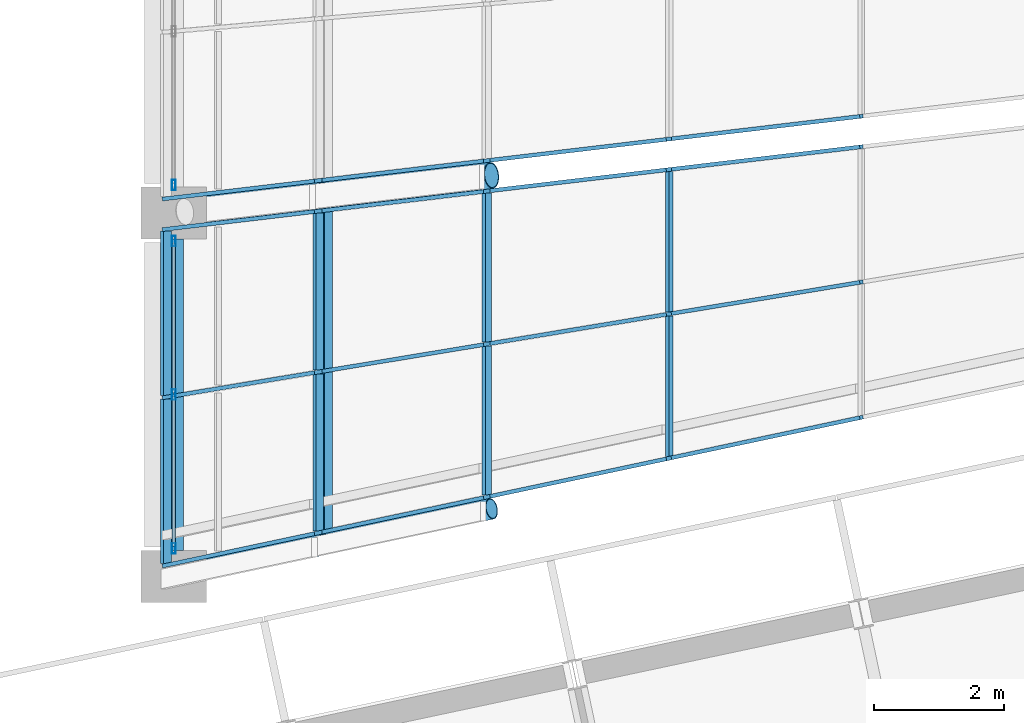
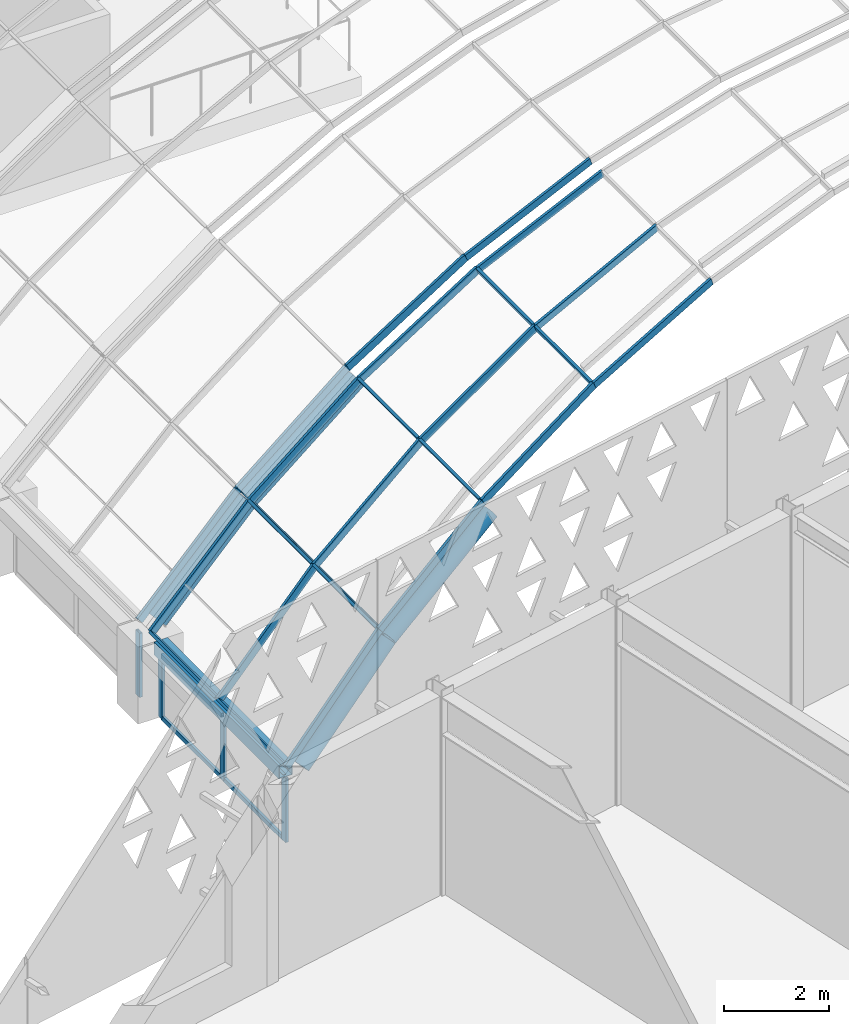
# One storey, part 30 of 182: 37 members, 1 beam, 4 elements without a shape of their own.
"""IFC4 building model written with IfcOpenShell, lengths in metres."""

import ifcopenshell
import ifcopenshell.guid

model = None  # the IFC model being written
_history = None  # IfcOwnerHistory: only IFC2X3 demands one
_inside = {}  # id of a spatial element -> (the spatial element, [elements in it])
_under = {}  # id of a project, library or spatial element -> (it, [spatial elements below it])
_declared = {}  # id of a project -> (the project, [libraries it declares])
_typed = {}  # id of a type object -> (the type object, [elements of that type])
_made_of = {}  # id of a material, layer set ... -> (it, [elements and type objects made of it])


def new_model(schema):
    """Start an empty IFC model of exactly this schema.

    Asked for "IFC4X3", IfcOpenShell would pick the latest addendum, in which some entities
    have other attributes; the version numbers below select the first issue.
    IFC2X3 requires an IfcOwnerHistory on every rooted entity: one is made here for all.
    """
    global model, _history
    if schema == "IFC4X3":
        model = ifcopenshell.file(schema_version=(4, 3, 0, 0))
    else:
        model = ifcopenshell.file(schema=schema)
    _inside.clear()
    _under.clear()
    _declared.clear()
    _typed.clear()
    _made_of.clear()
    _history = None
    if model.schema == "IFC2X3":
        org = make("IfcOrganization", Name="unknown")
        user = make(
            "IfcPersonAndOrganization",
            ThePerson=make("IfcPerson", FamilyName="unknown"),
            TheOrganization=org,
        )
        app = make(
            "IfcApplication",
            ApplicationDeveloper=org,
            Version="unknown",
            ApplicationFullName="unknown",
            ApplicationIdentifier="unknown",
        )
        _history = make(
            "IfcOwnerHistory",
            OwningUser=user,
            OwningApplication=app,
            ChangeAction="ADDED",
            CreationDate=0,
        )
    return model


def make(cls, **values):
    """One entity of the class cls with the attributes given. An attribute that is None is left unset."""
    return model.create_entity(
        cls, **{name: value for name, value in values.items() if value is not None}
    )


def rooted(cls, **values):
    """An entity with a GlobalId (a new one), such as an element, a storey or a relation."""
    return make(cls, GlobalId=ifcopenshell.guid.new(), OwnerHistory=_history, **values)


def si_unit(unit_type, name, prefix=None):
    """IfcSIUnit, for example si_unit("LENGTHUNIT", "METRE", prefix="MILLI")."""
    return make("IfcSIUnit", UnitType=unit_type, Prefix=prefix, Name=name)


def assignment(units):
    """IfcUnitAssignment: the units of a project."""
    return None if units is None else make("IfcUnitAssignment", Units=units)


def point(xyz):
    """IfcCartesianPoint."""
    return None if xyz is None else make("IfcCartesianPoint", Coordinates=xyz)


def direction(xyz):
    """IfcDirection."""
    return None if xyz is None else make("IfcDirection", DirectionRatios=xyz)


def frame(location, z_axis=None, x_axis=None):
    """IfcAxis2Placement3D, a coordinate frame: its origin and axes. An axis left out is left unset."""
    return make(
        "IfcAxis2Placement3D",
        Location=point(location),
        Axis=direction(z_axis),
        RefDirection=direction(x_axis),
    )


def frame_2d(location, x_axis=None):
    """IfcAxis2Placement2D, a coordinate frame in the plane: its origin and x axis."""
    return make(
        "IfcAxis2Placement2D", Location=point(location), RefDirection=direction(x_axis)
    )


def origin():
    """The frame at (0, 0, 0) with its axes left unset."""
    return frame((0.0, 0.0, 0.0))


def origin_2d():
    """The frame at (0, 0) in the plane with its x axis left unset."""
    return frame_2d((0.0, 0.0))


def place(relative_to, where):
    """IfcLocalPlacement: puts the frame where relative to a parent placement (None: the world)."""
    return make(
        "IfcLocalPlacement", PlacementRelTo=relative_to, RelativePlacement=where
    )


def context(
    kind, dimensions, precision=None, world=None, true_north=None, identifier=None
):
    """IfcGeometricRepresentationContext, for example the 3D "Model" context."""
    return make(
        "IfcGeometricRepresentationContext",
        ContextIdentifier=identifier,
        ContextType=kind,
        CoordinateSpaceDimension=dimensions,
        Precision=precision,
        WorldCoordinateSystem=world,
        TrueNorth=true_north,
    )


def subcontext(parent, identifier, kind, view, scale=None):
    """IfcGeometricRepresentationSubContext, for example "Body" below "Model"."""
    return make(
        "IfcGeometricRepresentationSubContext",
        ContextIdentifier=identifier,
        ContextType=kind,
        ParentContext=parent,
        TargetScale=scale,
        TargetView=view,
    )


def project(units=None, contexts=None):
    """IfcProject with its units and contexts."""
    return rooted(
        "IfcProject",
        Name="project",
        RepresentationContexts=contexts,
        UnitsInContext=assignment(units),
    )


def spatial(cls, under=None, at=None, **own):
    """A site, building, storey or space (cls), placed at a placement, below another one or the project."""
    s = rooted(cls, ObjectPlacement=at, **own)
    if under is not None:
        _under.setdefault(under.id(), (under, []))[1].append(s)
    return s


def profile(cls, at=None, kind="AREA", **sizes):
    """A parametric profile (cls). Its sizes go by their IFC names, for example OverallWidth=200.0."""
    return make(cls, ProfileType=kind, Position=at, **sizes)


def rectangle(**sizes):
    """IfcRectangleProfileDef."""
    return profile("IfcRectangleProfileDef", **sizes)


def hollow_rectangle(**sizes):
    """IfcRectangleHollowProfileDef."""
    return profile("IfcRectangleHollowProfileDef", **sizes)


def hollow_circle(**sizes):
    """IfcCircleHollowProfileDef."""
    return profile("IfcCircleHollowProfileDef", **sizes)


def extrude(swept, where, along, depth):
    """IfcExtrudedAreaSolid: the profile swept, set in the frame where, extruded along a direction by depth."""
    return make(
        "IfcExtrudedAreaSolid",
        SweptArea=swept,
        Position=where,
        ExtrudedDirection=direction(along),
        Depth=depth,
    )


def shape(context_of_items, identifier, shape_type, items):
    """IfcShapeRepresentation: the items that make up one representation, for example the "Body"."""
    return make(
        "IfcShapeRepresentation",
        ContextOfItems=context_of_items,
        RepresentationIdentifier=identifier,
        RepresentationType=shape_type,
        Items=items,
    )


def material(Name=None, Category=None):
    """IfcMaterial."""
    return make("IfcMaterial", Name=Name, Category=Category)


def material_profile(
    of_material, cross_section, Name=None, Category=None, Priority=None
):
    """IfcMaterialProfile: a cross section and its material."""
    return make(
        "IfcMaterialProfile",
        Name=Name,
        Material=of_material,
        Profile=cross_section,
        Priority=Priority,
        Category=Category,
    )


def profile_set(profiles, Name=None, composite=None):
    """IfcMaterialProfileSet."""
    return make(
        "IfcMaterialProfileSet",
        Name=Name,
        MaterialProfiles=profiles,
        CompositeProfile=composite,
    )


def made_of(thing, what):
    """Note that an element or type object is made of a material, layer set ...; save() writes the relation."""
    if what is not None:
        _made_of.setdefault(what.id(), (what, []))[1].append(thing)
    return thing


def type_object(cls, material=None, **own):
    """A type object (cls), such as IfcWallType, which elements share."""
    return made_of(rooted(cls, **own), material)


def element(
    cls,
    number,
    at=None,
    inside=None,
    cuts=None,
    type_object=None,
    material=None,
    context=None,
    identifier="Body",
    shape_type=None,
    held_by="IfcProductDefinitionShape",
    body=None,
    shapes=None,
    **own,
):
    """One element of the class cls, such as IfcWall. Its Tag is "e" and its number.

    at: its placement. inside: the storey or other place that contains it. cuts: it is an
    opening in that element (IfcRelVoidsElement). A single representation is given by context,
    identifier, shape_type and body (its items); several are given by shapes. held_by: the class
    of the entity that holds the representations. save() writes the other relations.
    """
    e = rooted(cls, Tag="e%d" % number, ObjectPlacement=at, **own)
    if body is not None:
        shapes = [shape(context, identifier, shape_type, body)]
    if shapes is not None:
        e.Representation = make(held_by, Representations=shapes)
    if inside is not None:
        _inside.setdefault(inside.id(), (inside, []))[1].append(e)
    if cuts is not None:
        rooted(
            "IfcRelVoidsElement", RelatingBuildingElement=cuts, RelatedOpeningElement=e
        )
    if type_object is not None:
        _typed.setdefault(type_object.id(), (type_object, []))[1].append(e)
    return made_of(e, material)


def aggregate(whole, parts):
    """IfcRelAggregates: a whole, such as a stair, and the parts it consists of."""
    return rooted("IfcRelAggregates", RelatingObject=whole, RelatedObjects=parts)


def save(model, path):
    """Write the relations noted so far, then the file.

    IfcRelAggregates (storeys below a building ...), IfcRelContainedInSpatialStructure (elements
    in a storey), IfcRelDefinesByType, IfcRelAssociatesMaterial and IfcRelDeclares: one each for
    every whole, place, type object, material and project.
    """
    for whole, parts in _under.values():
        aggregate(whole, parts)
    for where, things in _inside.values():
        rooted(
            "IfcRelContainedInSpatialStructure",
            RelatedElements=things,
            RelatingStructure=where,
        )
    for kind, things in _typed.values():
        rooted("IfcRelDefinesByType", RelatedObjects=things, RelatingType=kind)
    for what, things in _made_of.values():
        rooted("IfcRelAssociatesMaterial", RelatedObjects=things, RelatingMaterial=what)
    for by, libraries in _declared.values():
        rooted("IfcRelDeclares", RelatingContext=by, RelatedDefinitions=libraries)
    model.write(path)


model = new_model("IFC4")

# Units and contexts
model_context = context("Model", 3, precision=1e-05, world=origin(), true_north=direction((0.0, 1.0)))
body_context = subcontext(model_context, "Body", "Model", "MODEL_VIEW")
ifc_project = project(units=[si_unit("LENGTHUNIT", "METRE"), si_unit("AREAUNIT", "SQUARE_METRE"), si_unit("VOLUMEUNIT", "CUBIC_METRE"), si_unit("PLANEANGLEUNIT", "RADIAN"), si_unit("MASSUNIT", "GRAM", prefix="KILO")], contexts=[model_context])

# Site, building, storey
site_placement = place(None, origin())
site = spatial("IfcSite", under=ifc_project, at=site_placement, CompositionType="ELEMENT")
building_placement = place(site_placement, origin())
building = spatial("IfcBuilding", under=site, at=building_placement, Name="Okhra Congress Centre", CompositionType="ELEMENT")
storey_placement = place(building_placement, frame((0.0, 0.0, 7.199951171875)))
storey = spatial("IfcBuildingStorey", under=building, at=storey_placement, Name="L01", CompositionType="ELEMENT", Elevation=7.199951171875)

# Curtain wall, members
ifc_material_1 = material(Name="Aluminium frame with triple glazing", Category="aluminium")
curtain_wall_type_1 = type_object("IfcCurtainWallType", Name="Glazed vault bay curtain wall", PredefinedType="NOTDEFINED", material=ifc_material_1)
curtain_wall_1_placement = place(storey_placement, origin())
curtain_wall_1 = element("IfcCurtainWall", 1, at=curtain_wall_1_placement, inside=storey, type_object=curtain_wall_type_1, Name="Vault glazing bay 1", PredefinedType="NOTDEFINED")
ifc_material_2 = material(Name="Aluminium alloy 6063", Category="aluminium")
ifc_material_profile_1 = material_profile(ifc_material_2, rectangle(XDim=0.06005859375, YDim=0.159912109375, at=origin_2d()), Name="AL 60x160")
ifc_profile_set_1 = profile_set([ifc_material_profile_1], Name="Aluminium alloy 6063")
member_type_1 = type_object("IfcMemberType", Name="Aluminium mullion 60x160", PredefinedType="MULLION", material=ifc_profile_set_1)
member_1_placement = place(storey_placement, frame((163.11328125, 76.061279296875, 7.12255859375), z_axis=(0.927489680496, 0.197188274353, 0.31761561207), x_axis=(-0.207956346692, 0.978138107769, 0.0)))
member_1 = element("IfcMember", 2, at=member_1_placement, type_object=member_type_1, Name="Vault mullion 1.1.4", PredefinedType="MULLION", context=body_context, shape_type="SweptSolid", body=[
    extrude(rectangle(XDim=0.06005859375, YDim=0.159912109375, at=origin_2d()), origin(), (0.0, 0.0, 1.0), 3.18701171875),
])
member_2_placement = place(storey_placement, frame((163.11328125, 78.280029296875, 7.12255859375), z_axis=(0.93467421029, 0.154711085935, 0.320075929286), x_axis=(-0.16330210025, 0.986576111638, 0.0)))
member_2 = element("IfcMember", 3, at=member_2_placement, type_object=member_type_1, Name="Vault mullion 1.2.4", PredefinedType="MULLION", context=body_context, shape_type="SweptSolid", body=[
    extrude(rectangle(XDim=0.06005859375, YDim=0.159912109375, at=origin_2d()), origin(), (0.0, 0.0, 1.0), 3.162353515625),
])
member_3_placement = place(storey_placement, frame((163.11328125, 80.498779296875, 7.12255859375), z_axis=(0.940180806548, 0.111358658346, 0.321961644003), x_axis=(-0.117621694454, 0.99305847612, 0.0)))
member_3 = element("IfcMember", 4, at=member_3_placement, type_object=member_type_1, Name="Vault mullion 1.3.4", PredefinedType="MULLION", context=body_context, shape_type="SweptSolid", body=[
    extrude(rectangle(XDim=0.06005859375, YDim=0.159912109375, at=origin_2d()), origin(), (0.0, 0.0, 1.0), 3.143798828125),
])

# Curtain wall, member
curtain_wall_2_placement = place(storey_placement, origin())
curtain_wall_2 = element("IfcCurtainWall", 5, at=curtain_wall_2_placement, inside=storey, type_object=curtain_wall_type_1, Name="Vault glazing bay 2", PredefinedType="NOTDEFINED")
member_4_placement = place(storey_placement, frame((163.11328125, 80.968017578125, 7.12255859375), z_axis=(0.940180806548, 0.111358658346, 0.321961644003), x_axis=(-0.117621694454, 0.99305847612, 0.0)))
member_4 = element("IfcMember", 6, at=member_4_placement, type_object=member_type_1, Name="Vault mullion 2.1.4", PredefinedType="MULLION", context=body_context, shape_type="SweptSolid", body=[
    extrude(rectangle(XDim=0.06005859375, YDim=0.159912109375, at=origin_2d()), origin(), (0.0, 0.0, 1.0), 3.143798828125),
])

# Member
ifc_material_profile_2 = material_profile(ifc_material_2, rectangle(XDim=0.06005859375, YDim=0.179931640625, at=origin_2d()), Name="AL 60x180")
ifc_profile_set_2 = profile_set([ifc_material_profile_2], Name="Aluminium alloy 6063")
member_type_2 = type_object("IfcMemberType", Name="Aluminium mullion 60x180", PredefinedType="MULLION", material=ifc_profile_set_2)
member_5_placement = place(storey_placement, frame((155.382568359375, 74.417724609375, 1.916015625), z_axis=(0.738742575659, 0.157051256557, 0.655434443497), x_axis=(-0.207945482908, 0.978140417393, 0.0)))
member_5 = element("IfcMember", 7, at=member_5_placement, type_object=member_type_2, Name="Vault mullion 1.1.1", PredefinedType="MULLION", context=body_context, shape_type="SweptSolid", body=[
    extrude(rectangle(XDim=0.06005859375, YDim=0.179931640625, at=origin_2d()), origin(), (0.0, 0.0, 1.0), 3.1650390625),
])

member_6_placement = place(storey_placement, frame((157.720703125, 74.914794921875, 3.990478515625), z_axis=(0.816251475233, 0.173542863833, 0.551013977674), x_axis=(-0.207961285665, 0.978137057709, 0.0)))
member_6 = element("IfcMember", 8, at=member_6_placement, type_object=member_type_2, Name="Vault mullion 1.1.2", PredefinedType="MULLION", context=body_context, shape_type="SweptSolid", body=[
    extrude(rectangle(XDim=0.06005859375, YDim=0.179931640625, at=origin_2d()), origin(), (0.0, 0.0, 1.0), 3.173828125),
])

member_7_placement = place(storey_placement, frame((160.311279296875, 75.465576171875, 5.7392578125), z_axis=(0.879473345391, 0.186929331592, 0.437703163957), x_axis=(-0.207902647066, 0.978149522999, 0.0)))
member_7 = element("IfcMember", 9, at=member_7_placement, type_object=member_type_2, Name="Vault mullion 1.1.3", PredefinedType="MULLION", context=body_context, shape_type="SweptSolid", body=[
    extrude(rectangle(XDim=0.06005859375, YDim=0.179931640625, at=origin_2d()), origin(), (0.0, 0.0, 1.0), 3.181640625),
])

member_8_placement = place(storey_placement, frame((155.382568359375, 77.000244140625, 1.916015625), z_axis=(0.742358128377, 0.122860774092, 0.65864226969), x_axis=(-0.163279631546, 0.986579830486, 0.0)))
member_8 = element("IfcMember", 10, at=member_8_placement, type_object=member_type_2, Name="Vault mullion 1.2.1", PredefinedType="MULLION", context=body_context, shape_type="SweptSolid", body=[
    extrude(rectangle(XDim=0.06005859375, YDim=0.179931640625, at=origin_2d()), origin(), (0.0, 0.0, 1.0), 3.149658203125),
])

member_9_placement = place(storey_placement, frame((157.720703125, 77.38720703125, 3.990478515625), z_axis=(0.821131025697, 0.13596524476, 0.554307938655), x_axis=(-0.163358571477, 0.986566762629, 0.0)))
member_9 = element("IfcMember", 11, at=member_9_placement, type_object=member_type_2, Name="Vault mullion 1.2.2", PredefinedType="MULLION", context=body_context, shape_type="SweptSolid", body=[
    extrude(rectangle(XDim=0.06005859375, YDim=0.179931640625, at=origin_2d()), origin(), (0.0, 0.0, 1.0), 3.15478515625),
])

member_10_placement = place(storey_placement, frame((160.311279296875, 77.816162109375, 5.7392578125), z_axis=(0.885583868614, 0.146579931835, 0.440744296883), x_axis=(-0.163296114073, 0.986577102475, 0.0)))
member_10 = element("IfcMember", 12, at=member_10_placement, type_object=member_type_2, Name="Vault mullion 1.2.3", PredefinedType="MULLION", context=body_context, shape_type="SweptSolid", body=[
    extrude(rectangle(XDim=0.06005859375, YDim=0.179931640625, at=origin_2d()), origin(), (0.0, 0.0, 1.0), 3.15966796875),
])

member_11_placement = place(storey_placement, frame((155.382568359375, 79.582763671875, 1.916015625), z_axis=(0.745103091142, 0.088304480364, 0.661077682514), x_axis=(-0.117689490823, 0.993050443709, 0.0)))
member_11 = element("IfcMember", 13, at=member_11_placement, type_object=member_type_2, Name="Vault mullion 1.3.1", PredefinedType="MULLION", context=body_context, shape_type="SweptSolid", body=[
    extrude(rectangle(XDim=0.06005859375, YDim=0.179931640625, at=origin_2d()), origin(), (0.0, 0.0, 1.0), 3.137939453125),
])

member_12_placement = place(storey_placement, frame((157.720703125, 79.85986328125, 3.990478515625), z_axis=(0.824861462835, 0.097714716689, 0.556826185872), x_axis=(-0.117639418105, 0.993056376702, 0.0)))
member_12 = element("IfcMember", 14, at=member_12_placement, type_object=member_type_2, Name="Vault mullion 1.3.2", PredefinedType="MULLION", context=body_context, shape_type="SweptSolid", body=[
    extrude(rectangle(XDim=0.06005859375, YDim=0.179931640625, at=origin_2d()), origin(), (0.0, 0.0, 1.0), 3.140625),
])

member_13_placement = place(storey_placement, frame((160.311279296875, 80.166748046875, 5.7392578125), z_axis=(0.890258875405, 0.10548569521, 0.443070990778), x_axis=(-0.117665677919, 0.99305326556, 0.0)))
member_13 = element("IfcMember", 15, at=member_13_placement, type_object=member_type_2, Name="Vault mullion 1.3.3", PredefinedType="MULLION", context=body_context, shape_type="SweptSolid", body=[
    extrude(rectangle(XDim=0.06005859375, YDim=0.179931640625, at=origin_2d()), origin(), (0.0, 0.0, 1.0), 3.14306640625),
])

member_14_placement = place(storey_placement, frame((155.382568359375, 80.052001953125, 1.916015625), z_axis=(0.745103091142, 0.088304480364, 0.661077682514), x_axis=(-0.117689490823, 0.993050443709, 0.0)))
member_14 = element("IfcMember", 16, at=member_14_placement, type_object=member_type_2, Name="Vault mullion 2.1.1", PredefinedType="MULLION", context=body_context, shape_type="SweptSolid", body=[
    extrude(rectangle(XDim=0.06005859375, YDim=0.179931640625, at=origin_2d()), origin(), (0.0, 0.0, 1.0), 3.137939453125),
])

member_15_placement = place(storey_placement, frame((157.720703125, 80.3291015625, 3.990478515625), z_axis=(0.824861462835, 0.097714716689, 0.556826185872), x_axis=(-0.117639418105, 0.993056376702, 0.0)))
member_15 = element("IfcMember", 17, at=member_15_placement, type_object=member_type_2, Name="Vault mullion 2.1.2", PredefinedType="MULLION", context=body_context, shape_type="SweptSolid", body=[
    extrude(rectangle(XDim=0.06005859375, YDim=0.179931640625, at=origin_2d()), origin(), (0.0, 0.0, 1.0), 3.140625),
])

member_16_placement = place(storey_placement, frame((160.311279296875, 80.635986328125, 5.7392578125), z_axis=(0.890258875405, 0.10548569521, 0.443070990778), x_axis=(-0.117665677919, 0.99305326556, 0.0)))
member_16 = element("IfcMember", 18, at=member_16_placement, type_object=member_type_2, Name="Vault mullion 2.1.3", PredefinedType="MULLION", context=body_context, shape_type="SweptSolid", body=[
    extrude(rectangle(XDim=0.06005859375, YDim=0.179931640625, at=origin_2d()), origin(), (0.0, 0.0, 1.0), 3.14306640625),
])

aggregate(curtain_wall_2, [member_14, member_15, member_16, member_4])

ifc_material_profile_3 = material_profile(ifc_material_2, rectangle(XDim=0.06005859375, YDim=0.159912109375, at=origin_2d()), Name="AL 60x160 transom")
ifc_profile_set_3 = profile_set([ifc_material_profile_3], Name="Aluminium alloy 6063")
member_type_3 = type_object("IfcMemberType", Name="Aluminium transom 60x160", PredefinedType="USERDEFINED", material=ifc_profile_set_3)
member_17_placement = place(storey_placement, frame((163.11328125, 76.09130859375, 7.12255859375), z_axis=(0.0, 1.0, 0.0), x_axis=(-0.922668973833, 0.0, -0.38559300399)))
member_17 = element("IfcMember", 19, at=member_17_placement, type_object=member_type_3, Name="Vault transom 1.1.4", ObjectType="TRANSOM", PredefinedType="USERDEFINED", context=body_context, shape_type="SweptSolid", body=[
    extrude(rectangle(XDim=0.06005859375, YDim=0.159912109375, at=origin_2d()), origin(), (0.0, 0.0, 1.0), 2.15869140625),
])

member_18_placement = place(storey_placement, frame((163.11328125, 78.31005859375, 7.12255859375), z_axis=(0.0, 1.0, 0.0), x_axis=(-0.922668973833, 0.0, -0.38559300399)))
member_18 = element("IfcMember", 20, at=member_18_placement, type_object=member_type_3, Name="Vault transom 1.2.4", ObjectType="TRANSOM", PredefinedType="USERDEFINED", context=body_context, shape_type="SweptSolid", body=[
    extrude(rectangle(XDim=0.06005859375, YDim=0.159912109375, at=origin_2d()), origin(), (0.0, 0.0, 1.0), 2.15869140625),
])

ifc_material_profile_4 = material_profile(ifc_material_2, rectangle(XDim=0.06005859375, YDim=0.179931640625, at=origin_2d()), Name="AL 60x180 transom")
ifc_profile_set_4 = profile_set([ifc_material_profile_4], Name="Aluminium alloy 6063")
member_type_4 = type_object("IfcMemberType", Name="Aluminium transom 60x180", PredefinedType="USERDEFINED", material=ifc_profile_set_4)
member_19_placement = place(storey_placement, frame((155.382568359375, 74.44775390625, 1.916015625), z_axis=(0.0, 1.0, 0.0), x_axis=(-0.702636070549, 0.0, -0.711549402616)))
member_19 = element("IfcMember", 21, at=member_19_placement, type_object=member_type_4, Name="Vault transom 1.1.1", ObjectType="TRANSOM", PredefinedType="USERDEFINED", context=body_context, shape_type="SweptSolid", body=[
    extrude(rectangle(XDim=0.06005859375, YDim=0.179931640625, at=origin_2d()), origin(), (0.0, 0.0, 1.0), 2.5224609375),
])

member_20_placement = place(storey_placement, frame((157.720703125, 74.94482421875, 3.990478515625), z_axis=(0.0, 1.0, 0.0), x_axis=(-0.790145035185, 0.0, -0.612919915954)))
member_20 = element("IfcMember", 22, at=member_20_placement, type_object=member_type_4, Name="Vault transom 1.1.2", ObjectType="TRANSOM", PredefinedType="USERDEFINED", context=body_context, shape_type="SweptSolid", body=[
    extrude(rectangle(XDim=0.06005859375, YDim=0.179931640625, at=origin_2d()), origin(), (0.0, 0.0, 1.0), 2.412353515625),
])

member_21_placement = place(storey_placement, frame((160.311279296875, 75.49560546875, 5.7392578125), z_axis=(0.0, 1.0, 0.0), x_axis=(-0.86391685861, 0.0, -0.503634452167)))
member_21 = element("IfcMember", 23, at=member_21_placement, type_object=member_type_4, Name="Vault transom 1.1.3", ObjectType="TRANSOM", PredefinedType="USERDEFINED", context=body_context, shape_type="SweptSolid", body=[
    extrude(rectangle(XDim=0.06005859375, YDim=0.179931640625, at=origin_2d()), origin(), (0.0, 0.0, 1.0), 2.29052734375),
])

member_22_placement = place(storey_placement, frame((155.382568359375, 77.0302734375, 1.916015625), z_axis=(0.0, 1.0, 0.0), x_axis=(-0.702636070549, 0.0, -0.711549402616)))
member_22 = element("IfcMember", 24, at=member_22_placement, type_object=member_type_4, Name="Vault transom 1.2.1", ObjectType="TRANSOM", PredefinedType="USERDEFINED", context=body_context, shape_type="SweptSolid", body=[
    extrude(rectangle(XDim=0.06005859375, YDim=0.179931640625, at=origin_2d()), origin(), (0.0, 0.0, 1.0), 2.5224609375),
])

member_23_placement = place(storey_placement, frame((157.720703125, 77.417236328125, 3.990478515625), z_axis=(0.0, 1.0, 0.0), x_axis=(-0.790145035185, 0.0, -0.612919915954)))
member_23 = element("IfcMember", 25, at=member_23_placement, type_object=member_type_4, Name="Vault transom 1.2.2", ObjectType="TRANSOM", PredefinedType="USERDEFINED", context=body_context, shape_type="SweptSolid", body=[
    extrude(rectangle(XDim=0.06005859375, YDim=0.179931640625, at=origin_2d()), origin(), (0.0, 0.0, 1.0), 2.41259765625),
])

member_24_placement = place(storey_placement, frame((160.311279296875, 77.84619140625, 5.7392578125), z_axis=(0.0, 1.0, 0.0), x_axis=(-0.86391685861, 0.0, -0.503634452167)))
member_24 = element("IfcMember", 26, at=member_24_placement, type_object=member_type_4, Name="Vault transom 1.2.3", ObjectType="TRANSOM", PredefinedType="USERDEFINED", context=body_context, shape_type="SweptSolid", body=[
    extrude(rectangle(XDim=0.06005859375, YDim=0.179931640625, at=origin_2d()), origin(), (0.0, 0.0, 1.0), 2.29052734375),
])

aggregate(curtain_wall_1, [member_5, member_6, member_7, member_1, member_8, member_9, member_10, member_2, member_11, member_12, member_13, member_3, member_19, member_20, member_21, member_17, member_22, member_23, member_24, member_18])

# Curtain wall, members
ifc_material_3 = material(Name="Aluminium curtain wall, triple glazing", Category="aluminium")
curtain_wall_type_2 = type_object("IfcCurtainWallType", Name="Curtain wall 2100 module", PredefinedType="NOTDEFINED", material=ifc_material_3)
curtain_wall_3_placement = place(storey_placement, origin())
curtain_wall_3 = element("IfcCurtainWall", 27, at=curtain_wall_3_placement, inside=storey, type_object=curtain_wall_type_2, Name="West bay 1 clerestory glazing", PredefinedType="NOTDEFINED")
ifc_material_4 = material(Name="Aluminium alloy EN AW-6063 T66", Category="aluminium")
ifc_material_profile_5 = material_profile(ifc_material_4, hollow_rectangle(XDim=0.06005859375, YDim=0.159912109375, WallThickness=0.00390625, at=origin_2d()), Name="RHS 60x160x4")
ifc_profile_set_5 = profile_set([ifc_material_profile_5], Name="Aluminium alloy EN AW-6063 T66")
member_type_5 = type_object("IfcMemberType", Name="Curtain wall mullion 60x160", PredefinedType="MULLION", material=ifc_profile_set_5)
member_25_placement = place(storey_placement, frame((155.5, 74.677001953125, 0.0), z_axis=(0.0, 0.0, 1.0), x_axis=(-1.0, 0.0, 0.0)))
member_25 = element("IfcMember", 28, at=member_25_placement, type_object=member_type_5, Name="CW4 mullion 1", PredefinedType="MULLION", context=body_context, shape_type="SweptSolid", body=[
    extrude(hollow_rectangle(XDim=0.06005859375, YDim=0.159912109375, WallThickness=0.00390625, at=origin_2d()), origin(), (0.0, 0.0, 1.0), 1.5),
])
member_26_placement = place(storey_placement, frame((155.5, 77.039306640625, 0.0), z_axis=(0.0, 0.0, 1.0), x_axis=(-1.0, 0.0, 0.0)))
member_26 = element("IfcMember", 29, at=member_26_placement, type_object=member_type_5, Name="CW4 mullion 2", PredefinedType="MULLION", context=body_context, shape_type="SweptSolid", body=[
    extrude(hollow_rectangle(XDim=0.06005859375, YDim=0.159912109375, WallThickness=0.00390625, at=origin_2d()), origin(), (0.0, 0.0, 1.0), 1.5),
])
member_27_placement = place(storey_placement, frame((155.5, 79.4013671875, 0.0), z_axis=(0.0, 0.0, 1.0), x_axis=(-1.0, 0.0, 0.0)))
member_27 = element("IfcMember", 30, at=member_27_placement, type_object=member_type_5, Name="CW4 mullion 3", PredefinedType="MULLION", context=body_context, shape_type="SweptSolid", body=[
    extrude(hollow_rectangle(XDim=0.06005859375, YDim=0.159912109375, WallThickness=0.00390625, at=origin_2d()), origin(), (0.0, 0.0, 1.0), 1.5),
])

# Curtain wall, member
curtain_wall_4_placement = place(storey_placement, origin())
curtain_wall_4 = element("IfcCurtainWall", 31, at=curtain_wall_4_placement, inside=storey, type_object=curtain_wall_type_2, Name="West bay 2 clerestory glazing", PredefinedType="NOTDEFINED")
member_28_placement = place(storey_placement, frame((155.5, 80.261474609375, 0.0), z_axis=(0.0, 0.0, 1.0), x_axis=(-1.0, 0.0, 0.0)))
member_28 = element("IfcMember", 32, at=member_28_placement, type_object=member_type_5, Name="CW4 mullion 1", PredefinedType="MULLION", context=body_context, shape_type="SweptSolid", body=[
    extrude(hollow_rectangle(XDim=0.06005859375, YDim=0.159912109375, WallThickness=0.00390625, at=origin_2d()), origin(), (0.0, 0.0, 1.0), 1.5),
])
aggregate(curtain_wall_4, [member_28])

# Member
ifc_material_profile_6 = material_profile(ifc_material_4, hollow_rectangle(XDim=0.06005859375, YDim=0.10009765625, WallThickness=0.00390625, at=origin_2d()), Name="RHS 60x100x4")
ifc_profile_set_6 = profile_set([ifc_material_profile_6], Name="Aluminium alloy EN AW-6063 T66")
member_type_6 = type_object("IfcMemberType", Name="Curtain wall transom 60x100", PredefinedType="USERDEFINED", material=ifc_profile_set_6)
member_29_placement = place(storey_placement, frame((155.5, 74.70703125, 0.030029296875), z_axis=(0.0, 1.0, 0.0), x_axis=(-1.0, 0.0, 0.0)))
member_29 = element("IfcMember", 33, at=member_29_placement, type_object=member_type_6, Name="CW4 transom 1.1", ObjectType="TRANSOM", PredefinedType="USERDEFINED", context=body_context, shape_type="SweptSolid", body=[
    extrude(hollow_rectangle(XDim=0.06005859375, YDim=0.10009765625, WallThickness=0.00390625, at=origin_2d()), origin(), (0.0, 0.0, 1.0), 2.30224609375),
])

member_30_placement = place(storey_placement, frame((155.5, 74.70703125, 1.469970703125), z_axis=(0.0, 1.0, 0.0), x_axis=(-1.0, 0.0, 0.0)))
member_30 = element("IfcMember", 34, at=member_30_placement, type_object=member_type_6, Name="CW4 transom 1.2", ObjectType="TRANSOM", PredefinedType="USERDEFINED", context=body_context, shape_type="SweptSolid", body=[
    extrude(hollow_rectangle(XDim=0.06005859375, YDim=0.10009765625, WallThickness=0.00390625, at=origin_2d()), origin(), (0.0, 0.0, 1.0), 2.30224609375),
])

member_31_placement = place(storey_placement, frame((155.5, 77.0693359375, 0.030029296875), z_axis=(0.0, 1.0, 0.0), x_axis=(-1.0, 0.0, 0.0)))
member_31 = element("IfcMember", 35, at=member_31_placement, type_object=member_type_6, Name="CW4 transom 2.1", ObjectType="TRANSOM", PredefinedType="USERDEFINED", context=body_context, shape_type="SweptSolid", body=[
    extrude(hollow_rectangle(XDim=0.06005859375, YDim=0.10009765625, WallThickness=0.00390625, at=origin_2d()), origin(), (0.0, 0.0, 1.0), 2.302001953125),
])

member_32_placement = place(storey_placement, frame((155.5, 77.0693359375, 1.469970703125), z_axis=(0.0, 1.0, 0.0), x_axis=(-1.0, 0.0, 0.0)))
member_32 = element("IfcMember", 36, at=member_32_placement, type_object=member_type_6, Name="CW4 transom 2.2", ObjectType="TRANSOM", PredefinedType="USERDEFINED", context=body_context, shape_type="SweptSolid", body=[
    extrude(hollow_rectangle(XDim=0.06005859375, YDim=0.10009765625, WallThickness=0.00390625, at=origin_2d()), origin(), (0.0, 0.0, 1.0), 2.302001953125),
])

aggregate(curtain_wall_3, [member_25, member_26, member_27, member_29, member_30, member_31, member_32])

# Beam
ifc_material_5 = material(Name="Steel S355J2", Category="steel")
ifc_material_profile_7 = material_profile(ifc_material_5, hollow_rectangle(XDim=0.300048828125, YDim=0.300048828125, WallThickness=0.012451171875, at=origin_2d()), Name="RHS 300x300x12.5")
ifc_profile_set_7 = profile_set([ifc_material_profile_7], Name="Steel S355J2")
beam_type = type_object("IfcBeamType", Name="Steel eaves beam RHS 300x300x12.5", PredefinedType="BEAM", material=ifc_profile_set_7)
beam_placement = place(storey_placement, frame((155.5, 74.64697265625, 1.650146484375), z_axis=(0.0, 1.0, 0.0), x_axis=(-1.0, 0.0, 0.0)))
element("IfcBeam", 37, at=beam_placement, inside=storey, type_object=beam_type, Name="Eaves beam W1", PredefinedType="BEAM", context=body_context, shape_type="SweptSolid", body=[
    extrude(hollow_rectangle(XDim=0.300048828125, YDim=0.300048828125, WallThickness=0.012451171875, at=origin_2d()), origin(), (0.0, 0.0, 1.0), 4.784423828125),
])

# Members
ifc_material_profile_8 = material_profile(ifc_material_5, hollow_rectangle(XDim=0.10009765625, YDim=0.199951171875, WallThickness=0.008056640625, at=origin_2d()), Name="RHS 200x100x8")
ifc_profile_set_8 = profile_set([ifc_material_profile_8], Name="Steel S355J2")
member_type_7 = type_object("IfcMemberType", Name="Steel purlin RHS 200x100x8", PredefinedType="PURLIN", material=ifc_profile_set_8)
member_33_placement = place(storey_placement, frame((157.837158203125, 74.909423828125, 3.84033203125), z_axis=(0.0, 1.0, 0.0), x_axis=(-0.790145035185, 0.0, -0.612919915954)))
element("IfcMember", 38, at=member_33_placement, inside=storey, type_object=member_type_7, Name="Vault purlin 1.1", PredefinedType="PURLIN", context=body_context, shape_type="SweptSolid", body=[
    extrude(hollow_rectangle(XDim=0.10009765625, YDim=0.199951171875, WallThickness=0.008056640625, at=origin_2d()), origin(), (0.0, 0.0, 1.0), 4.994140625),
])
ifc_material_profile_9 = material_profile(ifc_material_5, hollow_circle(Radius=0.203125, WallThickness=0.01611328125, at=origin_2d()), Name="CHS 406.4x16")
ifc_profile_set_9 = profile_set([ifc_material_profile_9], Name="Steel S355J2")
member_type_8 = type_object("IfcMemberType", Name="Tubular steel arch rib CHS 406x16", PredefinedType="USERDEFINED", material=ifc_profile_set_9)
member_34_placement = place(storey_placement, frame((155.671875, 79.851806640625, 1.952392578125), z_axis=(0.745089350353, 0.088237620726, 0.661102096714), x_axis=(-0.117603753991, 0.993060600894, 0.0)))
element("IfcMember", 39, at=member_34_placement, inside=storey, type_object=member_type_8, Name="Arch rib 2.1", ObjectType="Arch rib", PredefinedType="USERDEFINED", context=body_context, shape_type="SweptSolid", body=[
    extrude(hollow_circle(Radius=0.203125, WallThickness=0.01611328125, at=origin_2d()), origin(), (0.0, 0.0, 1.0), 2.8720703125),
])
member_35_placement = place(storey_placement, frame((157.8330078125, 80.107666015625, 3.86767578125), z_axis=(0.824880328859, 0.097760084925, 0.556790273673), x_axis=(-0.117690626336, 0.993050309135, 0.0)))
element("IfcMember", 40, at=member_35_placement, inside=storey, type_object=member_type_8, Name="Arch rib 2.2", ObjectType="Arch rib", PredefinedType="USERDEFINED", context=body_context, shape_type="SweptSolid", body=[
    extrude(hollow_circle(Radius=0.203125, WallThickness=0.01611328125, at=origin_2d()), origin(), (0.0, 0.0, 1.0), 3.091796875),
])
ifc_material_profile_10 = material_profile(ifc_material_5, hollow_circle(Radius=0.161865234375, WallThickness=0.012451171875, at=origin_2d()), Name="CHS 323.9x12.5")
ifc_profile_set_10 = profile_set([ifc_material_profile_10], Name="Steel S355J2")
member_type_9 = type_object("IfcMemberType", Name="Tubular steel gable arch CHS 324x12.5", PredefinedType="USERDEFINED", material=ifc_profile_set_10)
member_36_placement = place(storey_placement, frame((155.637939453125, 74.2763671875, 1.92236328125), z_axis=(0.738698527696, 0.157072902826, 0.655478900025), x_axis=(-0.207984769124, 0.978132064607, 0.0)))
element("IfcMember", 41, at=member_36_placement, inside=storey, type_object=member_type_9, Name="Arch rib 1.1", ObjectType="Arch rib", PredefinedType="USERDEFINED", context=body_context, shape_type="SweptSolid", body=[
    extrude(hollow_circle(Radius=0.161865234375, WallThickness=0.012451171875, at=origin_2d()), origin(), (0.0, 0.0, 1.0), 2.9453125),
])
member_37_placement = place(storey_placement, frame((157.83056640625, 74.742431640625, 3.865966796875), z_axis=(0.816266531093, 0.173549262464, 0.550989658447), x_axis=(-0.207964951664, 0.978136278276, 0.0)))
element("IfcMember", 42, at=member_37_placement, inside=storey, type_object=member_type_9, Name="Arch rib 1.2", ObjectType="Arch rib", PredefinedType="USERDEFINED", context=body_context, shape_type="SweptSolid", body=[
    extrude(hollow_circle(Radius=0.161865234375, WallThickness=0.012451171875, at=origin_2d()), origin(), (0.0, 0.0, 1.0), 3.130126953125),
])

save(model, "model.ifc")
